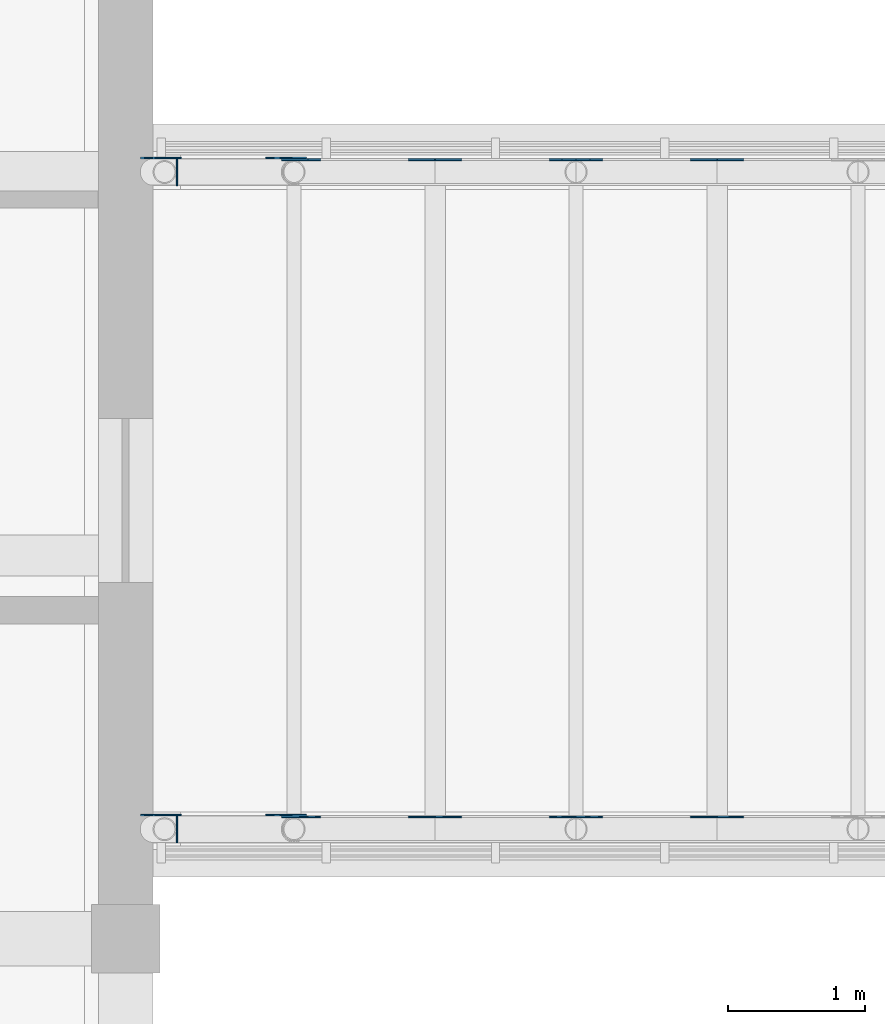
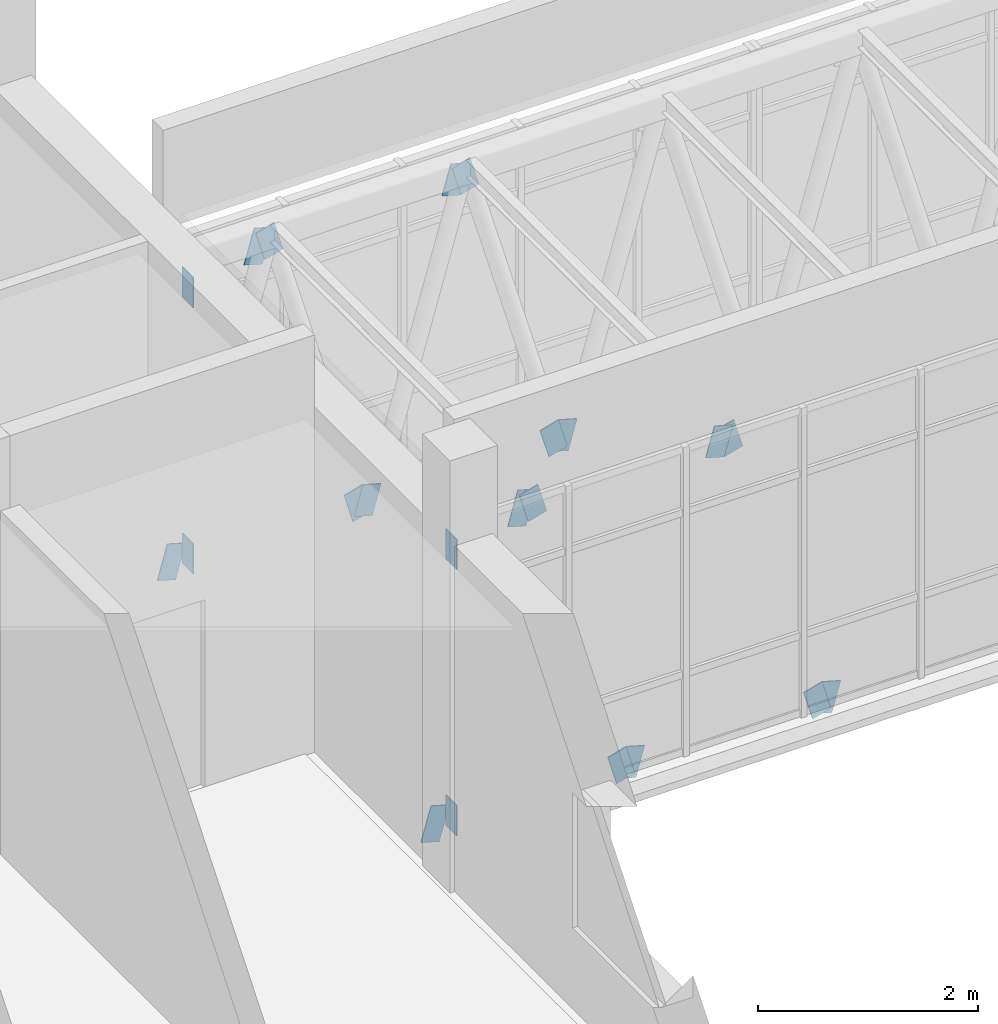
# One storey, part 79 of 119: 22 discrete accessories.
"""IFC4 building model written with IfcOpenShell, lengths in metres."""

from ifc_helpers import new_model, si_unit, direction, frame, origin, origin_2d, place, context, subcontext, project, spatial, rectangle, extrude, material, material_profile, profile_set, type_object, element, save


model = new_model("IFC4")

# Units and contexts
model_context = context("Model", 3, precision=1e-05, world=origin(), true_north=direction((0.0, 1.0)))
body_context = subcontext(model_context, "Body", "Model", "MODEL_VIEW")
ifc_project = project(units=[si_unit("LENGTHUNIT", "METRE"), si_unit("AREAUNIT", "SQUARE_METRE"), si_unit("VOLUMEUNIT", "CUBIC_METRE"), si_unit("PLANEANGLEUNIT", "RADIAN"), si_unit("MASSUNIT", "GRAM", prefix="KILO")], contexts=[model_context])

# Site, building, storey
site_placement = place(None, origin())
site = spatial("IfcSite", under=ifc_project, at=site_placement, CompositionType="ELEMENT")
building_placement = place(site_placement, origin())
building = spatial("IfcBuilding", under=site, at=building_placement, Name="Larchfold Concert Hall", CompositionType="ELEMENT")
storey_placement = place(building_placement, frame((0.0, 0.0, 4.800048828125)))
storey = spatial("IfcBuildingStorey", under=building, at=storey_placement, Name="L01", CompositionType="ELEMENT", Elevation=4.800048828125)

# Discrete accessories
ifc_material = material(Name="Steel S355 galvanised bracket", Category="steel")
ifc_material_profile = material_profile(ifc_material, rectangle(XDim=0.011962890625, YDim=0.199951171875, at=origin_2d()))
ifc_profile_set = profile_set([ifc_material_profile], Name="Steel S355 galvanised bracket")
discrete_accessory_type = type_object("IfcDiscreteAccessoryType", Name="Gusset plate 12x200", PredefinedType="BRACKET", material=ifc_profile_set)
for number, where, z_axis, x_axis, name in (
    (1, (59.774169921875, 9.800048828125, -0.16015625), (0.0, 0.0, 1.0), (1.0, 0.0, 0.0), "Gusset plate GP0803"),
    (2, (59.774169921875, 9.800048828125, 2.798583984375), (0.0, 0.0, 1.0), (1.0, 0.0, 0.0), "Gusset plate GP0804"),
):
    element("IfcDiscreteAccessory", number, at=place(storey_placement, frame(where, z_axis=z_axis, x_axis=x_axis)), inside=storey, type_object=discrete_accessory_type, Name=name, PredefinedType="BRACKET", context=body_context, shape_type="SweptSolid", body=[
        extrude(rectangle(XDim=0.011962890625, YDim=0.199951171875, at=origin_2d()), origin(), (0.0, 0.0, 1.0), 0.336669921875),
    ])
for number, where, z_axis, x_axis, name in (
    (3, (59.60546875, 9.90283203125, -0.290771484375), (0.274887664685, 0.0, 0.961476350101), (0.0, 1.0, 0.0), "Gusset plate GP0807"),
    (4, (60.517822265625, 9.90283203125, 2.8984375), (0.274887664685, 0.0, 0.961476350101), (0.0, 1.0, 0.0), "Gusset plate GP0808"),
):
    element("IfcDiscreteAccessory", number, at=place(storey_placement, frame(where, z_axis=z_axis, x_axis=x_axis)), inside=storey, type_object=discrete_accessory_type, Name=name, PredefinedType="BRACKET", context=body_context, shape_type="SweptSolid", body=[
        extrude(rectangle(XDim=0.011962890625, YDim=0.199951171875, at=origin_2d()), origin(), (0.0, 0.0, 1.0), 0.38720703125),
    ])
for number, where, z_axis, x_axis, name in (
    (5, (60.635498046875, 9.89013671875, 3.270751953125), (0.27500862401, 0.0, -0.961441759401), (0.0, 1.0, 0.0), "Gusset plate GP0809"),
    (6, (61.561767578125, 9.89013671875, 0.03271484375), (0.27500862401, 0.0, -0.961441759401), (0.0, 1.0, 0.0), "Gusset plate GP0810"),
    (7, (61.66552734375, 9.89013671875, -0.290771484375), (0.27500862401, 0.0, 0.961441759401), (0.0, 1.0, 0.0), "Gusset plate GP0811"),
    (8, (62.591796875, 9.89013671875, 2.947265625), (0.27500862401, 0.0, 0.961441759401), (0.0, 1.0, 0.0), "Gusset plate GP0812"),
    (9, (62.695556640625, 9.89013671875, 3.270751953125), (0.27500862401, 0.0, -0.961441759401), (0.0, 1.0, 0.0), "Gusset plate GP0813"),
    (10, (63.621826171875, 9.89013671875, 0.03271484375), (0.27500862401, 0.0, -0.961441759401), (0.0, 1.0, 0.0), "Gusset plate GP0814"),
    (11, (63.7255859375, 9.89013671875, -0.290771484375), (0.27500862401, 0.0, 0.961441759401), (0.0, 1.0, 0.0), "Gusset plate GP0815"),
):
    element("IfcDiscreteAccessory", number, at=place(storey_placement, frame(where, z_axis=z_axis, x_axis=x_axis)), inside=storey, type_object=discrete_accessory_type, Name=name, PredefinedType="BRACKET", context=body_context, shape_type="SweptSolid", body=[
        extrude(rectangle(XDim=0.011962890625, YDim=0.199951171875, at=origin_2d()), origin(), (0.0, 0.0, 1.0), 0.33642578125),
    ])
for number, where, z_axis, x_axis, name in (
    (12, (59.774169921875, 14.60009765625, -0.16015625), (0.0, 0.0, 1.0), (1.0, 0.0, 0.0), "Gusset plate GP0855"),
    (13, (59.774169921875, 14.60009765625, 2.798583984375), (0.0, 0.0, 1.0), (1.0, 0.0, 0.0), "Gusset plate GP0856"),
):
    element("IfcDiscreteAccessory", number, at=place(storey_placement, frame(where, z_axis=z_axis, x_axis=x_axis)), inside=storey, type_object=discrete_accessory_type, Name=name, PredefinedType="BRACKET", context=body_context, shape_type="SweptSolid", body=[
        extrude(rectangle(XDim=0.011962890625, YDim=0.199951171875, at=origin_2d()), origin(), (0.0, 0.0, 1.0), 0.336669921875),
    ])
for number, where, z_axis, x_axis, name in (
    (14, (59.60546875, 14.702880859375, -0.290771484375), (0.274887664685, 0.0, 0.961476350101), (0.0, 1.0, 0.0), "Gusset plate GP0859"),
    (15, (60.517822265625, 14.702880859375, 2.8984375), (0.274887664685, 0.0, 0.961476350101), (0.0, 1.0, 0.0), "Gusset plate GP0860"),
):
    element("IfcDiscreteAccessory", number, at=place(storey_placement, frame(where, z_axis=z_axis, x_axis=x_axis)), inside=storey, type_object=discrete_accessory_type, Name=name, PredefinedType="BRACKET", context=body_context, shape_type="SweptSolid", body=[
        extrude(rectangle(XDim=0.011962890625, YDim=0.199951171875, at=origin_2d()), origin(), (0.0, 0.0, 1.0), 0.38720703125),
    ])
for number, where, z_axis, x_axis, name in (
    (16, (60.635498046875, 14.690185546875, 3.270751953125), (0.27500862401, 0.0, -0.961441759401), (0.0, 1.0, 0.0), "Gusset plate GP0861"),
    (17, (61.561767578125, 14.690185546875, 0.03271484375), (0.27500862401, 0.0, -0.961441759401), (0.0, 1.0, 0.0), "Gusset plate GP0862"),
    (18, (61.66552734375, 14.690185546875, -0.290771484375), (0.27500862401, 0.0, 0.961441759401), (0.0, 1.0, 0.0), "Gusset plate GP0863"),
    (19, (62.591796875, 14.690185546875, 2.947265625), (0.27500862401, 0.0, 0.961441759401), (0.0, 1.0, 0.0), "Gusset plate GP0864"),
    (20, (62.695556640625, 14.690185546875, 3.270751953125), (0.27500862401, 0.0, -0.961441759401), (0.0, 1.0, 0.0), "Gusset plate GP0865"),
    (21, (63.621826171875, 14.690185546875, 0.03271484375), (0.27500862401, 0.0, -0.961441759401), (0.0, 1.0, 0.0), "Gusset plate GP0866"),
    (22, (63.7255859375, 14.690185546875, -0.290771484375), (0.27500862401, 0.0, 0.961441759401), (0.0, 1.0, 0.0), "Gusset plate GP0867"),
):
    element("IfcDiscreteAccessory", number, at=place(storey_placement, frame(where, z_axis=z_axis, x_axis=x_axis)), inside=storey, type_object=discrete_accessory_type, Name=name, PredefinedType="BRACKET", context=body_context, shape_type="SweptSolid", body=[
        extrude(rectangle(XDim=0.011962890625, YDim=0.199951171875, at=origin_2d()), origin(), (0.0, 0.0, 1.0), 0.33642578125),
    ])

save(model, "model.ifc")
